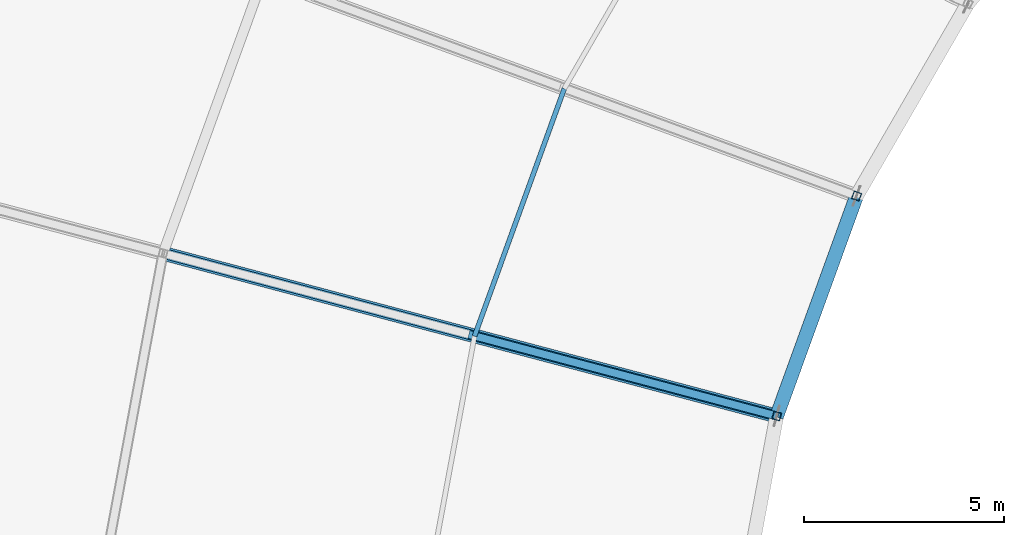
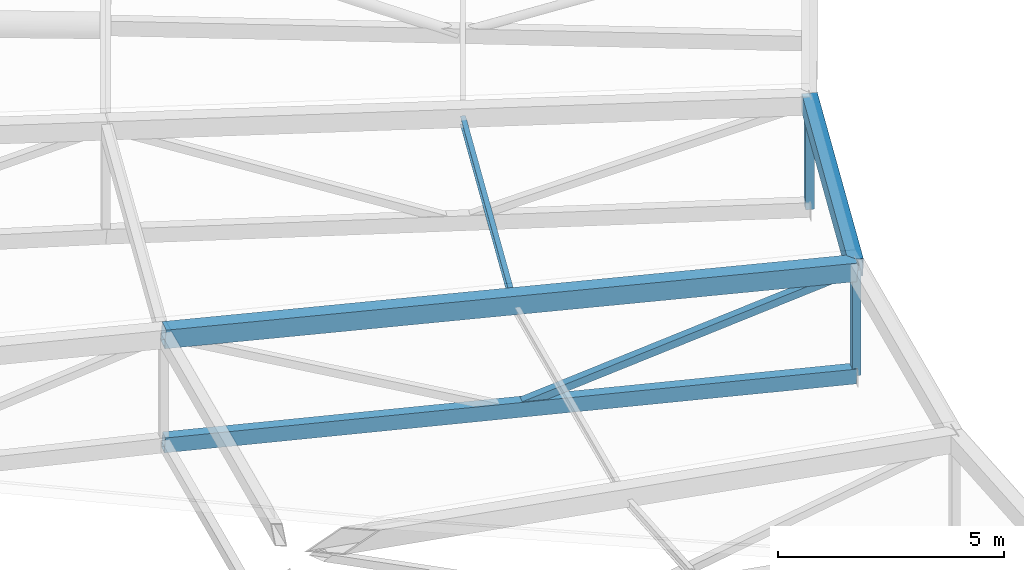
# One storey, part 44 of 143: 4 members, 3 beams.
"""IFC4 building model written with IfcOpenShell, lengths in metres."""

from ifc_helpers import new_model, si_unit, direction, frame, origin, origin_2d, place, context, subcontext, project, spatial, hollow_rectangle, i_section, extrude, material, material_profile, profile_set, type_object, element, save


model = new_model("IFC4")

# Units and contexts
model_context = context("Model", 3, precision=1e-05, world=origin(), true_north=direction((0.0, 1.0)))
body_context = subcontext(model_context, "Body", "Model", "MODEL_VIEW")
ifc_project = project(units=[si_unit("LENGTHUNIT", "METRE"), si_unit("AREAUNIT", "SQUARE_METRE"), si_unit("VOLUMEUNIT", "CUBIC_METRE"), si_unit("PLANEANGLEUNIT", "RADIAN"), si_unit("MASSUNIT", "GRAM", prefix="KILO")], contexts=[model_context])

# Site, building, storey
site_placement = place(None, origin())
site = spatial("IfcSite", under=ifc_project, at=site_placement, CompositionType="ELEMENT")
building_placement = place(site_placement, origin())
building = spatial("IfcBuilding", under=site, at=building_placement, Name="Mphavela Belvedere Stadium", CompositionType="ELEMENT")
storey_placement = place(building_placement, frame((0.0, 0.0, 28.800048828125)))
storey = spatial("IfcBuildingStorey", under=building, at=storey_placement, Name="RF", CompositionType="ELEMENT", Elevation=28.800048828125)

# Beams
ifc_material_1 = material(Name="Steel S355", Category="steel")
ifc_material_profile_1 = material_profile(ifc_material_1, hollow_rectangle(XDim=0.35009765625, YDim=0.5, WallThickness=0.02001953125, at=origin_2d()), Name="RHS 500x350x20")
ifc_profile_set_1 = profile_set([ifc_material_profile_1], Name="Steel S355")
beam_type_1 = type_object("IfcBeamType", Name="BM-RING-IN", PredefinedType="BEAM", material=ifc_profile_set_1)
beam_1_placement = place(storey_placement, frame((56.52099609375, 108.5439453125, 2.34765625), z_axis=(-0.340014743725, -0.937149276545, -0.078365856857), x_axis=(0.940040212853, -0.341063627817, 0.0)))
element("IfcBeam", 1, at=beam_1_placement, inside=storey, type_object=beam_type_1, Name="Inner tension ring beam RB-IN-22", PredefinedType="BEAM", context=body_context, shape_type="SweptSolid", body=[
    extrude(hollow_rectangle(XDim=0.35009765625, YDim=0.5, WallThickness=0.02001953125, at=origin_2d()), origin(), (0.0, 0.0, 1.0), 5.875732421875),
])
ifc_material_2 = material(Name="Steel S355", Category="steel")
ifc_material_profile_2 = material_profile(ifc_material_2, hollow_rectangle(XDim=0.25, YDim=0.39990234375, WallThickness=0.01611328125, at=origin_2d()), Name="RHS 400x250x16")
ifc_profile_set_2 = profile_set([ifc_material_profile_2], Name="Steel S355")
beam_type_2 = type_object("IfcBeamType", Name="BM-TRUSS-BC2", PredefinedType="BEAM", material=ifc_profile_set_2)
beam_2_placement = place(storey_placement, frame((39.167724609375, 107.10986328125, 0.0771484375), z_axis=(0.964523241908, -0.255791269318, -0.065312650841), x_axis=(0.256338590818, 0.966587050843, 0.0)))
element("IfcBeam", 2, at=beam_2_placement, inside=storey, type_object=beam_type_2, Name="Radial roof truss RT-23 bottom chord 3", PredefinedType="BEAM", context=body_context, shape_type="SweptSolid", body=[
    extrude(hollow_rectangle(XDim=0.25, YDim=0.39990234375, WallThickness=0.01611328125, at=origin_2d()), origin(), (0.0, 0.0, 1.0), 15.920166015625),
])
ifc_material_3 = material(Name="Steel S355", Category="steel")
ifc_material_profile_3 = material_profile(ifc_material_3, hollow_rectangle(XDim=0.35009765625, YDim=0.5, WallThickness=0.02001953125, at=origin_2d()), Name="RHS 500x350x20")
ifc_profile_set_3 = profile_set([ifc_material_profile_3], Name="Steel S355")
beam_type_3 = type_object("IfcBeamType", Name="BM-TRUSS-TC2", PredefinedType="BEAM", material=ifc_profile_set_3)
beam_3_placement = place(storey_placement, frame((39.167724609375, 107.10986328125, 2.97705078125), z_axis=(0.964320499394, -0.255737502065, -0.06844197897), x_axis=(0.256338590818, 0.966587050843, 0.0)))
element("IfcBeam", 3, at=beam_3_placement, inside=storey, type_object=beam_type_3, Name="Radial roof truss RT-23 top chord 3", PredefinedType="BEAM", context=body_context, shape_type="SweptSolid", body=[
    extrude(hollow_rectangle(XDim=0.35009765625, YDim=0.5, WallThickness=0.02001953125, at=origin_2d()), origin(), (0.0, 0.0, 1.0), 15.923583984375),
])

# Members
ifc_material_4 = material(Name="Steel S355", Category="steel")
ifc_material_profile_4 = material_profile(ifc_material_4, hollow_rectangle(XDim=0.199951171875, YDim=0.199951171875, WallThickness=0.010009765625, at=origin_2d()), Name="SHS 200x200x10")
ifc_profile_set_4 = profile_set([ifc_material_profile_4], Name="Steel S355")
member_type_1 = type_object("IfcMemberType", Name="MEM-POST-SHS200", PredefinedType="POST", material=ifc_profile_set_4)
for number, where, z_axis, x_axis, name in (
    (4, (56.52099609375, 108.5439453125, -0.502197265625), (0.0, 0.0, 1.0), (-0.938372433776, 0.34562577382, 0.0), "Radial roof truss RT-22 post P4"),
    (5, (54.523193359375, 103.03759765625, -0.962646484375), (0.0, 0.0, 1.0), (-0.966600102017, 0.256289373133, 0.0), "Radial roof truss RT-23 post P4"),
):
    element("IfcMember", number, at=place(storey_placement, frame(where, z_axis=z_axis, x_axis=x_axis)), inside=storey, type_object=member_type_1, Name=name, PredefinedType="POST", context=body_context, shape_type="SweptSolid", body=[
        extrude(hollow_rectangle(XDim=0.199951171875, YDim=0.199951171875, WallThickness=0.010009765625, at=origin_2d()), origin(), (0.0, 0.0, 1.0), 2.849853515625),
    ])
member_1_placement = place(storey_placement, frame((46.845458984375, 105.07373046875, -0.44287109375), z_axis=(0.927504083099, -0.245973799703, 0.281483686374), x_axis=(0.256338590818, 0.966587050843, 0.0)))
element("IfcMember", 6, at=member_1_placement, inside=storey, type_object=member_type_1, Name="Radial roof truss RT-23 web diagonal D6", PredefinedType="POST", context=body_context, shape_type="SweptSolid", body=[
    extrude(hollow_rectangle(XDim=0.199951171875, YDim=0.199951171875, WallThickness=0.010009765625, at=origin_2d()), origin(), (0.0, 0.0, 1.0), 8.27783203125),
])
ifc_material_5 = material(Name="Steel S355", Category="steel")
ifc_material_profile_5 = material_profile(ifc_material_5, i_section(OverallWidth=0.1201171875, OverallDepth=0.239990234375, WebThickness=0.006103515625, FlangeThickness=0.009765625, at=origin_2d()), Name="IPE 240")
ifc_profile_set_5 = profile_set([ifc_material_profile_5], Name="Steel S355")
member_type_2 = type_object("IfcMemberType", Name="MEM-PURLIN-IPE240", PredefinedType="PURLIN", material=ifc_profile_set_5)
member_2_placement = place(storey_placement, frame((49.2109375, 111.237060546875, 2.78173828125), z_axis=(-0.339988857833, -0.937157771841, -0.078376573202), x_axis=(0.940049528738, -0.341037950263, 0.0)))
element("IfcMember", 7, at=member_2_placement, inside=storey, type_object=member_type_2, Name="Saddle canopy steel purlin 22-1", PredefinedType="PURLIN", context=body_context, shape_type="SweptSolid", body=[
    extrude(i_section(OverallWidth=0.1201171875, OverallDepth=0.239990234375, WebThickness=0.006103515625, FlangeThickness=0.009765625, at=origin_2d()), origin(), (0.0, 0.0, 1.0), 6.60986328125),
])

save(model, "model.ifc")
